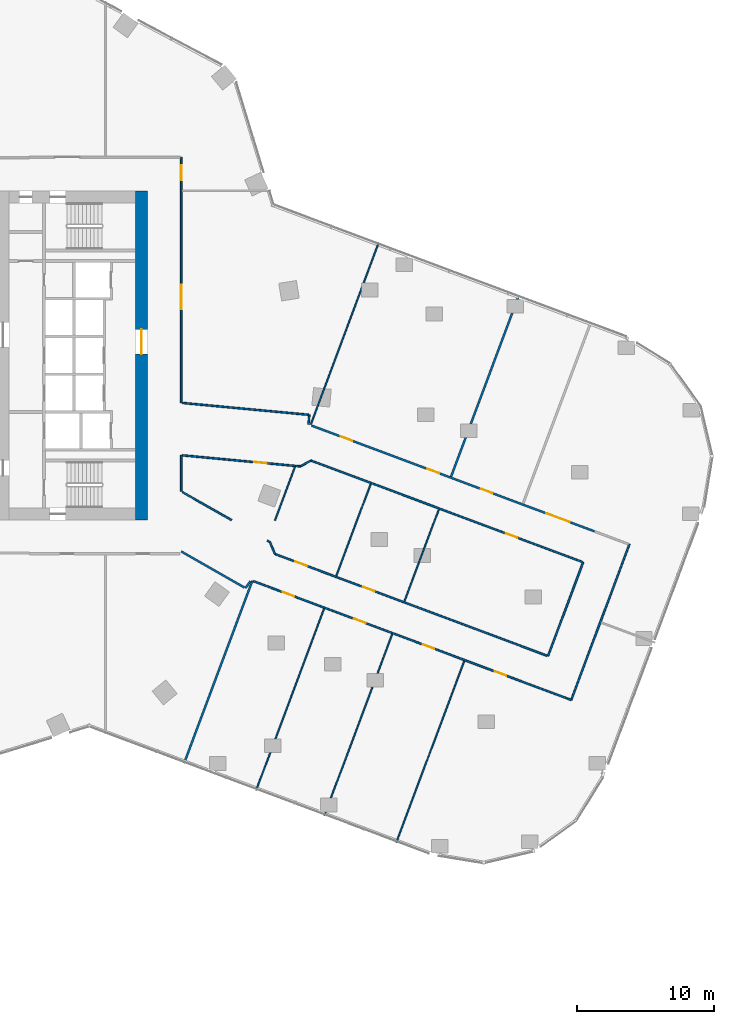
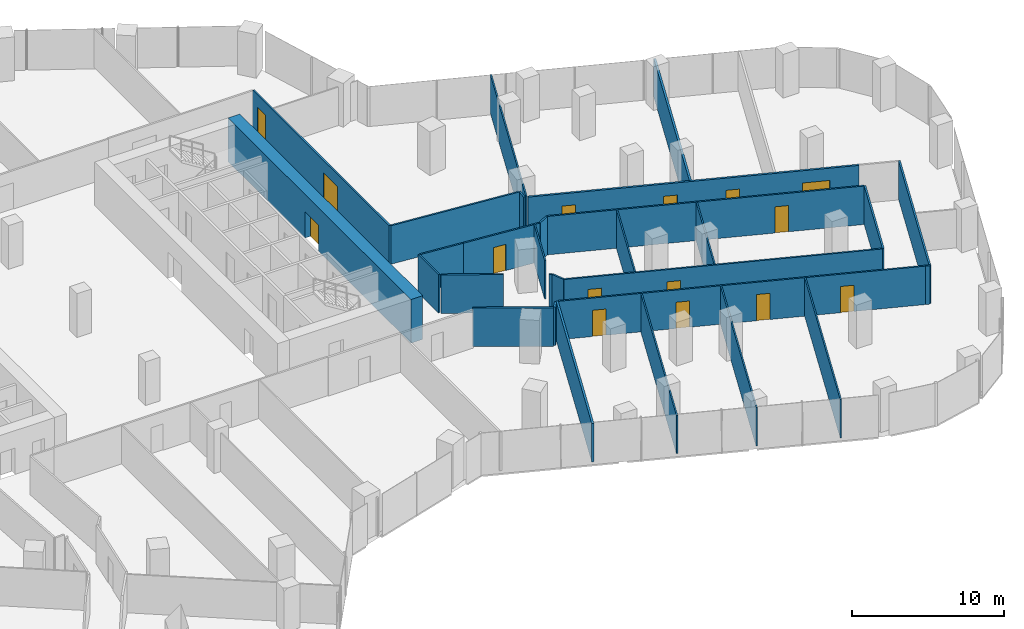
# One storey, part 26 of 31: 30 walls, 15 doors, 15 openings.
"""IFC4 building model written with IfcOpenShell, lengths in metres."""

from ifc_helpers import new_model, si_unit, direction, frame, frame_2d, origin, place, context, subcontext, project, spatial, rectangle, extrude, material, layer, layer_set, type_object, element, fill, save


model = new_model("IFC4")

# Units and contexts
model_context = context("Model", 3, precision=1e-05, world=origin(), true_north=direction((0.0, 1.0)))
body_context = subcontext(model_context, "Body", "Model", "MODEL_VIEW")
ifc_project = project(units=[si_unit("LENGTHUNIT", "METRE"), si_unit("AREAUNIT", "SQUARE_METRE"), si_unit("VOLUMEUNIT", "CUBIC_METRE"), si_unit("PLANEANGLEUNIT", "RADIAN"), si_unit("MASSUNIT", "GRAM", prefix="KILO")], contexts=[model_context])

# Site, building, storey
site_placement = place(None, origin())
site = spatial("IfcSite", under=ifc_project, at=site_placement, CompositionType="ELEMENT")
building_placement = place(site_placement, origin())
building = spatial("IfcBuilding", under=site, at=building_placement, Name="Orlundy Tower", CompositionType="ELEMENT")
storey_placement = place(building_placement, frame((0.0, 0.0, 87.699951171875)))
storey = spatial("IfcBuildingStorey", under=building, at=storey_placement, Name="L21", CompositionType="ELEMENT", Elevation=87.699951171875)

# Wall, opening, door
ifc_material_1 = material(Name="Concrete C80/95", Category="concrete")
ifc_layer_1 = layer(ifc_material_1, 0.89990234375)
ifc_layer_set_1 = layer_set([ifc_layer_1], Name="CORE WALL 900 C80/95")
wall_type_1 = type_object("IfcWallType", Name="CORE WALL 900 C80/95", PredefinedType="SHEAR", material=ifc_layer_set_1)
wall_1_placement = place(storey_placement, frame((18.550048828125, -12.0, 0.0), z_axis=(0.0, 0.0, 1.0), x_axis=(0.0, 1.0, 0.0)))
wall_1 = element("IfcWall", 1, at=wall_1_placement, inside=storey, type_object=wall_type_1, Name="Core wall E-E L21", PredefinedType="SHEAR", context=body_context, shape_type="SweptSolid", body=[
    extrude(rectangle(XDim=24.0, YDim=0.89990234375, at=frame_2d((12.0, 0.0))), origin(), (0.0, 0.0, 1.0), 3.5),
])
opening_1_placement = place(wall_1_placement, frame((12.10009765625, 0.0, 0.0)))
opening_1 = element("IfcOpeningElement", 2, at=opening_1_placement, cuts=wall_1, Name="Opening 17059", PredefinedType="OPENING", context=body_context, shape_type="SweptSolid", body=[
    extrude(rectangle(XDim=1.800048828125, YDim=2.10009765625, at=frame_2d((0.89990234375, 1.050048828125))), frame((0.0, 0.4599609375, 0.0), z_axis=(0.0, -1.0, 0.0), x_axis=(1.0, 0.0, 0.0)), (0.0, 0.0, 1.0), 0.919921875),
])
ifc_material_2 = material(Name="Timber door set", Category="wood")
door_type_1 = type_object("IfcDoorType", Name="Lobby Door 1800x2100", OperationType="DOUBLE_DOOR_DOUBLE_SWING", PredefinedType="DOOR", material=ifc_material_2)
door_1_placement = place(opening_1_placement, origin())
door_1 = element("IfcDoor", 3, at=door_1_placement, inside=storey, type_object=door_type_1, Name="Lift lobby door 17059", OperationType="SINGLE_SWING_RIGHT", OverallHeight=2.10009765625, OverallWidth=1.800048828125, PredefinedType="DOOR", context=body_context, shape_type="SweptSolid", body=[
    extrude(rectangle(XDim=1.800048828125, YDim=2.10009765625, at=frame_2d((0.89990234375, 1.050048828125))), frame((0.0, 0.02490234375, 0.0), z_axis=(0.0, -1.0, 0.0), x_axis=(1.0, 0.0, 0.0)), (0.0, 0.0, 1.0), 0.050048828125),
])
fill(opening_1, door_1)

# Walls
ifc_material_3 = material(Name="Gypsum board partition")
ifc_layer_2 = layer(ifc_material_3, 0.10009765625)
ifc_layer_set_2 = layer_set([ifc_layer_2], Name="Floor partition 100")
wall_type_2 = type_object("IfcWallType", Name="Floor partition 100", PredefinedType="PARTITIONING", material=ifc_layer_set_2)
wall_2_placement = place(storey_placement, frame((37.1201171875, -35.498046875, 0.0), z_axis=(0.0, 0.0, 1.0), x_axis=(0.350144786727, 0.936695590001, 0.0)))
element("IfcWall", 4, at=wall_2_placement, inside=storey, type_object=wall_type_2, Name="wall-int-L21-060", PredefinedType="PARTITIONING", context=body_context, shape_type="SweptSolid", body=[
    extrude(rectangle(XDim=14.136962890625, YDim=0.10009765625, at=frame_2d((7.068359375, 0.0))), origin(), (0.0, 0.0, 1.0), 3.080078125),
])
wall_3_placement = place(storey_placement, frame((31.8740234375, -33.535888671875, 0.0), z_axis=(0.0, 0.0, 1.0), x_axis=(0.350228055147, 0.936664459338, 0.0)))
element("IfcWall", 5, at=wall_3_placement, inside=storey, type_object=wall_type_2, Name="wall-int-L21-062", PredefinedType="PARTITIONING", context=body_context, shape_type="SweptSolid", body=[
    extrude(rectangle(XDim=14.13623046875, YDim=0.10009765625, at=frame_2d((7.068115234375, 0.0))), origin(), (0.0, 0.0, 1.0), 3.080078125),
])
wall_4_placement = place(storey_placement, frame((37.708984375, -17.927978515625, 0.0), z_axis=(0.0, 0.0, 1.0), x_axis=(0.350306504713, 0.93663512253, 0.0)))
element("IfcWall", 6, at=wall_4_placement, inside=storey, type_object=wall_type_2, Name="wall-int-L21-063", PredefinedType="PARTITIONING", context=body_context, shape_type="SweptSolid", body=[
    extrude(rectangle(XDim=7.173583984375, YDim=0.10009765625, at=frame_2d((3.5869140625, 0.0))), origin(), (0.0, 0.0, 1.0), 3.080078125),
])
wall_5_placement = place(storey_placement, frame((26.909912109375, -31.679931640625, 0.0), z_axis=(0.0, 0.0, 1.0), x_axis=(0.350182597647, 0.936681455088, 0.0)))
element("IfcWall", 7, at=wall_5_placement, inside=storey, type_object=wall_type_2, Name="wall-int-L21-065", PredefinedType="PARTITIONING", context=body_context, shape_type="SweptSolid", body=[
    extrude(rectangle(XDim=14.135986328125, YDim=0.10009765625, at=frame_2d((7.06787109375, 0.0))), origin(), (0.0, 0.0, 1.0), 3.080078125),
])
wall_6_placement = place(storey_placement, frame((32.7451171875, -16.072021484375, 0.0), z_axis=(0.0, 0.0, 1.0), x_axis=(0.350187067912, 0.936679783847, 0.0)))
element("IfcWall", 8, at=wall_6_placement, inside=storey, type_object=wall_type_2, Name="wall-int-L21-066", PredefinedType="PARTITIONING", context=body_context, shape_type="SweptSolid", body=[
    extrude(rectangle(XDim=7.173095703125, YDim=0.10009765625, at=frame_2d((3.58642578125, 0.0))), origin(), (0.0, 0.0, 1.0), 3.080078125),
])
wall_7_placement = place(storey_placement, frame((28.277099609375, -12.014892578125, 0.0), z_axis=(0.0, 0.0, 1.0), x_axis=(0.35011187795, 0.936707890924, 0.0)))
element("IfcWall", 9, at=wall_7_placement, inside=storey, type_object=wall_type_2, Name="wall-int-L21-068", PredefinedType="PARTITIONING", context=body_context, shape_type="SweptSolid", body=[
    extrude(rectangle(XDim=4.232666015625, YDim=0.10009765625, at=frame_2d((2.1162109375, 0.0))), origin(), (0.0, 0.0, 1.0), 3.080078125),
])
wall_8_placement = place(storey_placement, frame((30.89111328125, -5.02294921875, 0.0), z_axis=(0.0, 0.0, 1.0), x_axis=(0.350144786727, 0.936695590001, 0.0)))
element("IfcWall", 10, at=wall_8_placement, inside=storey, type_object=wall_type_2, Name="wall-int-L21-069", PredefinedType="PARTITIONING", context=body_context, shape_type="SweptSolid", body=[
    extrude(rectangle(XDim=14.136962890625, YDim=0.10009765625, at=frame_2d((7.068359375, 0.0))), origin(), (0.0, 0.0, 1.0), 3.080078125),
])
ifc_material_4 = material(Name="Gypsum board partition, double layer")
ifc_layer_3 = layer(ifc_material_4, 0.125)
ifc_layer_set_3 = layer_set([ifc_layer_3], Name="Floor partition 125")
wall_type_3 = type_object("IfcWallType", Name="Floor partition 125", PredefinedType="PARTITIONING", material=ifc_layer_set_3)
wall_9_placement = place(storey_placement, frame((27.72607421875, -13.488037109375, 0.0), z_axis=(0.0, 0.0, 1.0), x_axis=(0.867243838512, -0.497883645608, 0.0)))
element("IfcWall", 11, at=wall_9_placement, inside=storey, type_object=wall_type_3, Name="wall-int-L21-016", PredefinedType="PARTITIONING", context=body_context, shape_type="SweptSolid", body=[
    extrude(rectangle(XDim=0.2109375, YDim=0.125, at=frame_2d((0.10546875, 0.0))), origin(), (0.0, 0.0, 1.0), 3.080078125),
])
wall_10_placement = place(storey_placement, frame((21.54296875, -9.9599609375, 0.0), z_axis=(0.0, 0.0, 1.0), x_axis=(0.868534999161, -0.495627839445, 0.0)))
element("IfcWall", 12, at=wall_10_placement, inside=storey, type_object=wall_type_3, Name="wall-int-L21-017", PredefinedType="PARTITIONING", context=body_context, shape_type="SweptSolid", body=[
    extrude(rectangle(XDim=4.115966796875, YDim=0.125, at=frame_2d((2.05810546875, 0.0))), origin(), (0.0, 0.0, 1.0), 3.080078125),
])
wall_11_placement = place(storey_placement, frame((49.5869140625, -24.9990234375, 0.0), z_axis=(0.0, 0.0, 1.0), x_axis=(0.93595848705, -0.352110366957, 0.0)))
element("IfcWall", 13, at=wall_11_placement, inside=storey, type_object=wall_type_3, Name="wall-int-L21-018", PredefinedType="PARTITIONING", context=body_context, shape_type="SweptSolid", body=[
    extrude(rectangle(XDim=0.298095703125, YDim=0.125, at=frame_2d((0.14892578125, 0.0))), origin(), (0.0, 0.0, 1.0), 3.080078125),
])

# Wall, openings, doors
wall_12_placement = place(storey_placement, frame((49.5869140625, -24.9990234375, 0.0), z_axis=(0.0, 0.0, 1.0), x_axis=(-0.936679277277, 0.350188422882, 0.0)))
wall_12 = element("IfcWall", 14, at=wall_12_placement, inside=storey, type_object=wall_type_3, Name="wall-int-L21-019", PredefinedType="PARTITIONING", context=body_context, shape_type="SweptSolid", body=[
    extrude(rectangle(XDim=24.412841796875, YDim=0.125, at=frame_2d((12.20654296875, 0.0))), origin(), (0.0, 0.0, 1.0), 3.080078125),
])
opening_2_placement = place(wall_12_placement, frame((10.351318359375, 0.0, 0.0)))
opening_2 = element("IfcOpeningElement", 15, at=opening_2_placement, cuts=wall_12, Name="Opening 17105", PredefinedType="OPENING", context=body_context, shape_type="SweptSolid", body=[
    extrude(rectangle(XDim=0.89990234375, YDim=2.10009765625, at=frame_2d((0.449951171875, 1.050048828125))), frame((0.0, 0.072509765625, 0.0), z_axis=(0.0, -1.0, 0.0), x_axis=(1.0, 0.0, 0.0)), (0.0, 0.0, 1.0), 0.14501953125),
])
opening_3_placement = place(wall_12_placement, frame((4.751708984375, 0.0, 0.0)))
opening_3 = element("IfcOpeningElement", 16, at=opening_3_placement, cuts=wall_12, Name="Opening 17108", PredefinedType="OPENING", context=body_context, shape_type="SweptSolid", body=[
    extrude(rectangle(XDim=0.89990234375, YDim=2.10009765625, at=frame_2d((0.449951171875, 1.050048828125))), frame((0.0, 0.072509765625, 0.0), z_axis=(0.0, -1.0, 0.0), x_axis=(1.0, 0.0, 0.0)), (0.0, 0.0, 1.0), 0.14501953125),
])
opening_4_placement = place(wall_12_placement, frame((21.25146484375, 0.0, 0.0)))
opening_4 = element("IfcOpeningElement", 17, at=opening_4_placement, cuts=wall_12, Name="Opening 17109", PredefinedType="OPENING", context=body_context, shape_type="SweptSolid", body=[
    extrude(rectangle(XDim=0.89990234375, YDim=2.10009765625, at=frame_2d((0.449951171875, 1.050048828125))), frame((0.0, 0.072509765625, 0.0), z_axis=(0.0, -1.0, 0.0), x_axis=(1.0, 0.0, 0.0)), (0.0, 0.0, 1.0), 0.14501953125),
])
opening_5_placement = place(wall_12_placement, frame((15.700927734375, 0.0, 0.0)))
opening_5 = element("IfcOpeningElement", 18, at=opening_5_placement, cuts=wall_12, Name="Opening 17110", PredefinedType="OPENING", context=body_context, shape_type="SweptSolid", body=[
    extrude(rectangle(XDim=0.89990234375, YDim=2.10009765625, at=frame_2d((0.449951171875, 1.050048828125))), frame((0.0, 0.072509765625, 0.0), z_axis=(0.0, -1.0, 0.0), x_axis=(1.0, 0.0, 0.0)), (0.0, 0.0, 1.0), 0.14501953125),
])
ifc_material_5 = material(Name="Timber door leaf", Category="wood")
door_type_2 = type_object("IfcDoorType", Name="Floor door single 900 FD30S", OperationType="NOTDEFINED", PredefinedType="DOOR", material=ifc_material_5)
door_2_placement = place(opening_2_placement, origin())
door_2 = element("IfcDoor", 19, at=door_2_placement, inside=storey, type_object=door_type_2, Name="Door 17105", OperationType="SINGLE_SWING_LEFT", OverallHeight=2.10009765625, OverallWidth=0.89990234375, PredefinedType="DOOR", context=body_context, shape_type="SweptSolid", body=[
    extrude(rectangle(XDim=0.89990234375, YDim=2.10009765625, at=frame_2d((0.449951171875, 1.050048828125))), frame((0.0, 0.02490234375, 0.0), z_axis=(0.0, -1.0, 0.0), x_axis=(1.0, 0.0, 0.0)), (0.0, 0.0, 1.0), 0.050048828125),
])
fill(opening_2, door_2)
door_3_placement = place(opening_3_placement, origin())
door_3 = element("IfcDoor", 20, at=door_3_placement, inside=storey, type_object=door_type_2, Name="Door 17108", OperationType="SINGLE_SWING_LEFT", OverallHeight=2.10009765625, OverallWidth=0.89990234375, PredefinedType="DOOR", context=body_context, shape_type="SweptSolid", body=[
    extrude(rectangle(XDim=0.89990234375, YDim=2.10009765625, at=frame_2d((0.449951171875, 1.050048828125))), frame((0.0, 0.02490234375, 0.0), z_axis=(0.0, -1.0, 0.0), x_axis=(1.0, 0.0, 0.0)), (0.0, 0.0, 1.0), 0.050048828125),
])
fill(opening_3, door_3)
door_4_placement = place(opening_4_placement, origin())
door_4 = element("IfcDoor", 21, at=door_4_placement, inside=storey, type_object=door_type_2, Name="Door 17109", OperationType="SINGLE_SWING_RIGHT", OverallHeight=2.10009765625, OverallWidth=0.89990234375, PredefinedType="DOOR", context=body_context, shape_type="SweptSolid", body=[
    extrude(rectangle(XDim=0.89990234375, YDim=2.10009765625, at=frame_2d((0.449951171875, 1.050048828125))), frame((0.0, 0.02490234375, 0.0), z_axis=(0.0, -1.0, 0.0), x_axis=(1.0, 0.0, 0.0)), (0.0, 0.0, 1.0), 0.050048828125),
])
fill(opening_4, door_4)
door_5_placement = place(opening_5_placement, origin())
door_5 = element("IfcDoor", 22, at=door_5_placement, inside=storey, type_object=door_type_2, Name="Door 17110", OperationType="SINGLE_SWING_RIGHT", OverallHeight=2.10009765625, OverallWidth=0.89990234375, PredefinedType="DOOR", context=body_context, shape_type="SweptSolid", body=[
    extrude(rectangle(XDim=0.89990234375, YDim=2.10009765625, at=frame_2d((0.449951171875, 1.050048828125))), frame((0.0, 0.02490234375, 0.0), z_axis=(0.0, -1.0, 0.0), x_axis=(1.0, 0.0, 0.0)), (0.0, 0.0, 1.0), 0.050048828125),
])
fill(opening_5, door_5)

wall_13_placement = place(storey_placement, frame((28.277099609375, -14.468994140625, 0.0), z_axis=(0.0, 0.0, 1.0), x_axis=(0.936688160915, -0.350164660128, 0.0)))
wall_13 = element("IfcWall", 23, at=wall_13_placement, inside=storey, type_object=wall_type_3, Name="wall-int-L21-020", PredefinedType="PARTITIONING", context=body_context, shape_type="SweptSolid", body=[
    extrude(rectangle(XDim=21.184326171875, YDim=0.125, at=frame_2d((10.59228515625, 0.0))), origin(), (0.0, 0.0, 1.0), 3.080078125),
])
opening_6_placement = place(wall_13_placement, frame((1.58740234375, 0.0, 0.0)))
opening_6 = element("IfcOpeningElement", 24, at=opening_6_placement, cuts=wall_13, Name="Opening 17102", PredefinedType="OPENING", context=body_context, shape_type="SweptSolid", body=[
    extrude(rectangle(XDim=0.89990234375, YDim=2.10009765625, at=frame_2d((0.449951171875, 1.050048828125))), frame((0.0, 0.072509765625, 0.0), z_axis=(0.0, -1.0, 0.0), x_axis=(1.0, 0.0, 0.0)), (0.0, 0.0, 1.0), 0.14501953125),
])
opening_7_placement = place(wall_13_placement, frame((6.84619140625, 0.0, 0.0)))
opening_7 = element("IfcOpeningElement", 25, at=opening_7_placement, cuts=wall_13, Name="Opening 17103", PredefinedType="OPENING", context=body_context, shape_type="SweptSolid", body=[
    extrude(rectangle(XDim=0.89990234375, YDim=2.10009765625, at=frame_2d((0.449951171875, 1.050048828125))), frame((0.0, 0.072509765625, 0.0), z_axis=(0.0, -1.0, 0.0), x_axis=(1.0, 0.0, 0.0)), (0.0, 0.0, 1.0), 0.14501953125),
])
door_6_placement = place(opening_6_placement, origin())
door_6 = element("IfcDoor", 26, at=door_6_placement, inside=storey, type_object=door_type_2, Name="Door 17102", OperationType="SINGLE_SWING_LEFT", OverallHeight=2.10009765625, OverallWidth=0.89990234375, PredefinedType="DOOR", context=body_context, shape_type="SweptSolid", body=[
    extrude(rectangle(XDim=0.89990234375, YDim=2.10009765625, at=frame_2d((0.449951171875, 1.050048828125))), frame((0.0, 0.02490234375, 0.0), z_axis=(0.0, -1.0, 0.0), x_axis=(1.0, 0.0, 0.0)), (0.0, 0.0, 1.0), 0.050048828125),
])
fill(opening_6, door_6)
door_7_placement = place(opening_7_placement, origin())
door_7 = element("IfcDoor", 27, at=door_7_placement, inside=storey, type_object=door_type_2, Name="Door 17103", OperationType="SINGLE_SWING_LEFT", OverallHeight=2.10009765625, OverallWidth=0.89990234375, PredefinedType="DOOR", context=body_context, shape_type="SweptSolid", body=[
    extrude(rectangle(XDim=0.89990234375, YDim=2.10009765625, at=frame_2d((0.449951171875, 1.050048828125))), frame((0.0, 0.02490234375, 0.0), z_axis=(0.0, -1.0, 0.0), x_axis=(1.0, 0.0, 0.0)), (0.0, 0.0, 1.0), 0.050048828125),
])
fill(opening_7, door_7)

# Wall, opening, door
wall_14_placement = place(storey_placement, frame((50.675048828125, -15.050048828125, 0.0), z_axis=(0.0, 0.0, 1.0), x_axis=(-0.936673902411, 0.350202799165, 0.0)))
wall_14 = element("IfcWall", 28, at=wall_14_placement, inside=storey, type_object=wall_type_3, Name="wall-int-L21-022", PredefinedType="PARTITIONING", context=body_context, shape_type="SweptSolid", body=[
    extrude(rectangle(XDim=21.1025390625, YDim=0.125, at=frame_2d((10.55126953125, 0.0))), origin(), (0.0, 0.0, 1.0), 3.080078125),
])
opening_8_placement = place(wall_14_placement, frame((5.037353515625, 0.0, 0.0)))
opening_8 = element("IfcOpeningElement", 29, at=opening_8_placement, cuts=wall_14, Name="Opening 17106", PredefinedType="OPENING", context=body_context, shape_type="SweptSolid", body=[
    extrude(rectangle(XDim=0.89990234375, YDim=2.10009765625, at=frame_2d((0.449951171875, 1.050048828125))), frame((0.0, 0.072509765625, 0.0), z_axis=(0.0, -1.0, 0.0), x_axis=(1.0, 0.0, 0.0)), (0.0, 0.0, 1.0), 0.14501953125),
])
door_8_placement = place(opening_8_placement, origin())
door_8 = element("IfcDoor", 30, at=door_8_placement, inside=storey, type_object=door_type_2, Name="Door 17106", OperationType="SINGLE_SWING_LEFT", OverallHeight=2.10009765625, OverallWidth=0.89990234375, PredefinedType="DOOR", context=body_context, shape_type="SweptSolid", body=[
    extrude(rectangle(XDim=0.89990234375, YDim=2.10009765625, at=frame_2d((0.449951171875, 1.050048828125))), frame((0.0, 0.02490234375, 0.0), z_axis=(0.0, -1.0, 0.0), x_axis=(1.0, 0.0, 0.0)), (0.0, 0.0, 1.0), 0.050048828125),
])
fill(opening_8, door_8)

wall_15_placement = place(storey_placement, frame((29.69091796875, -8.0439453125, 0.0), z_axis=(0.0, 0.0, 1.0), x_axis=(-0.995633116016, 0.093352548402, 0.0)))
wall_15 = element("IfcWall", 31, at=wall_15_placement, inside=storey, type_object=wall_type_3, Name="wall-int-L21-025", PredefinedType="PARTITIONING", context=body_context, shape_type="SweptSolid", body=[
    extrude(rectangle(XDim=5.110107421875, YDim=0.125, at=frame_2d((2.55517578125, 0.0))), origin(), (0.0, 0.0, 1.0), 3.080078125),
])
opening_9_placement = place(wall_15_placement, frame((2.03125, 0.0, 0.0)))
opening_9 = element("IfcOpeningElement", 32, at=opening_9_placement, cuts=wall_15, Name="Opening 17130", PredefinedType="OPENING", context=body_context, shape_type="SweptSolid", body=[
    extrude(rectangle(XDim=0.89990234375, YDim=2.10009765625, at=frame_2d((0.449951171875, 1.050048828125))), frame((0.0, 0.072509765625, 0.0), z_axis=(0.0, -1.0, 0.0), x_axis=(1.0, 0.0, 0.0)), (0.0, 0.0, 1.0), 0.14501953125),
])
door_9_placement = place(opening_9_placement, origin())
door_9 = element("IfcDoor", 33, at=door_9_placement, inside=storey, type_object=door_type_2, Name="Door 17130", OperationType="SINGLE_SWING_LEFT", OverallHeight=2.10009765625, OverallWidth=0.89990234375, PredefinedType="DOOR", context=body_context, shape_type="SweptSolid", body=[
    extrude(rectangle(XDim=0.89990234375, YDim=2.10009765625, at=frame_2d((0.449951171875, 1.050048828125))), frame((0.0, 0.02490234375, 0.0), z_axis=(0.0, -1.0, 0.0), x_axis=(1.0, 0.0, 0.0)), (0.0, 0.0, 1.0), 0.050048828125),
])
fill(opening_9, door_9)

# Walls
wall_16_placement = place(storey_placement, frame((21.511962890625, -3.458984375, 0.0), z_axis=(0.0, 0.0, 1.0), x_axis=(0.995629319732, -0.093393028057, 0.0)))
element("IfcWall", 34, at=wall_16_placement, inside=storey, type_object=wall_type_3, Name="wall-int-L21-026", PredefinedType="PARTITIONING", context=body_context, shape_type="SweptSolid", body=[
    extrude(rectangle(XDim=9.25146484375, YDim=0.125, at=frame_2d((4.625732421875, 0.0))), origin(), (0.0, 0.0, 1.0), 3.080078125),
])
wall_17_placement = place(storey_placement, frame((21.511962890625, -7.277099609375, 0.0), z_axis=(0.0, 0.0, 1.0), x_axis=(0.99566045899, -0.093060466381, 0.0)))
element("IfcWall", 35, at=wall_17_placement, inside=storey, type_object=wall_type_3, Name="wall-int-L21-027", PredefinedType="PARTITIONING", context=body_context, shape_type="SweptSolid", body=[
    extrude(rectangle(XDim=3.103515625, YDim=0.125, at=frame_2d((1.5517578125, 0.0))), origin(), (0.0, 0.0, 1.0), 3.080078125),
])
wall_18_placement = place(storey_placement, frame((29.759033203125, -8.050048828125, 0.0), z_axis=(0.0, 0.0, 1.0), x_axis=(0.995670146901, -0.092956756453, 0.0)))
element("IfcWall", 36, at=wall_18_placement, inside=storey, type_object=wall_type_3, Name="wall-int-L21-028", PredefinedType="PARTITIONING", context=body_context, shape_type="SweptSolid", body=[
    extrude(rectangle(XDim=0.3544921875, YDim=0.125, at=frame_2d((0.17724609375, 0.0))), origin(), (0.0, 0.0, 1.0), 3.080078125),
])
wall_19_placement = place(storey_placement, frame((28.277099609375, -14.468994140625, 0.0), z_axis=(0.0, 0.0, 1.0), x_axis=(-0.386952526605, 0.922099637867, 0.0)))
element("IfcWall", 37, at=wall_19_placement, inside=storey, type_object=wall_type_3, Name="wall-int-L21-057", PredefinedType="PARTITIONING", context=body_context, shape_type="SweptSolid", body=[
    extrude(rectangle(XDim=0.948974609375, YDim=0.125, at=frame_2d((0.474609375, 0.0))), origin(), (0.0, 0.0, 1.0), 3.080078125),
])
wall_20_placement = place(storey_placement, frame((49.866943359375, -25.10400390625, 0.0), z_axis=(0.0, 0.0, 1.0), x_axis=(0.350035835617, 0.936736309632, 0.0)))
element("IfcWall", 38, at=wall_20_placement, inside=storey, type_object=wall_type_3, Name="wall-int-L21-058", PredefinedType="PARTITIONING", context=body_context, shape_type="SweptSolid", body=[
    extrude(rectangle(XDim=12.13037109375, YDim=0.125, at=frame_2d((6.065185546875, 0.0))), origin(), (0.0, 0.0, 1.0), 3.080078125),
])
wall_21_placement = place(storey_placement, frame((48.177978515625, -21.908935546875, 0.0), z_axis=(0.0, 0.0, 1.0), x_axis=(0.350170212359, 0.93668608529, 0.0)))
element("IfcWall", 39, at=wall_21_placement, inside=storey, type_object=wall_type_3, Name="wall-int-L21-059", PredefinedType="PARTITIONING", context=body_context, shape_type="SweptSolid", body=[
    extrude(rectangle(XDim=7.299072265625, YDim=0.125, at=frame_2d((3.6494140625, 0.0))), origin(), (0.0, 0.0, 1.0), 3.080078125),
])
wall_22_placement = place(storey_placement, frame((30.719970703125, -5.02587890625, 0.0), z_axis=(0.0, 0.0, 1.0), x_axis=(0.092800329534, 0.995684738679, 0.0)))
element("IfcWall", 40, at=wall_22_placement, inside=storey, type_object=wall_type_3, Name="wall-int-L21-073", PredefinedType="PARTITIONING", context=body_context, shape_type="SweptSolid", body=[
    extrude(rectangle(XDim=0.69970703125, YDim=0.125, at=frame_2d((0.349853515625, 0.0))), origin(), (0.0, 0.0, 1.0), 3.080078125),
])
wall_23_placement = place(storey_placement, frame((30.113037109375, -8.0830078125, 0.0), z_axis=(0.0, 0.0, 1.0), x_axis=(0.882989439454, 0.469392852323, 0.0)))
element("IfcWall", 41, at=wall_23_placement, inside=storey, type_object=wall_type_3, Name="wall-int-L21-074", PredefinedType="PARTITIONING", context=body_context, shape_type="SweptSolid", body=[
    extrude(rectangle(XDim=0.9013671875, YDim=0.125, at=frame_2d((0.45068359375, 0.0))), origin(), (0.0, 0.0, 1.0), 3.080078125),
])
wall_24_placement = place(storey_placement, frame((21.449951171875, -9.906982421875, 0.0), z_axis=(0.0, 0.0, 1.0), x_axis=(0.0, 1.0, 0.0)))
element("IfcWall", 42, at=wall_24_placement, inside=storey, type_object=wall_type_3, Name="wall-int-L21-077", PredefinedType="PARTITIONING", context=body_context, shape_type="SweptSolid", body=[
    extrude(rectangle(XDim=2.635986328125, YDim=0.125, at=frame_2d((1.31787109375, 0.0))), origin(), (0.0, 0.0, 1.0), 3.080078125),
])

# Wall, openings, doors
wall_25_placement = place(storey_placement, frame((21.449951171875, 14.450927734375, 0.0), z_axis=(0.0, 0.0, 1.0), x_axis=(0.0, -1.0, 0.0)))
wall_25 = element("IfcWall", 43, at=wall_25_placement, inside=storey, type_object=wall_type_3, Name="wall-int-L21-078", PredefinedType="PARTITIONING", context=body_context, shape_type="SweptSolid", body=[
    extrude(rectangle(XDim=17.90380859375, YDim=0.125, at=frame_2d((8.951904296875, 0.0))), origin(), (0.0, 0.0, 1.0), 3.080078125),
])
opening_10_placement = place(wall_25_placement, frame((9.301025390625, 0.0, 0.0)))
opening_10 = element("IfcOpeningElement", 44, at=opening_10_placement, cuts=wall_25, Name="Opening 17131", PredefinedType="OPENING", context=body_context, shape_type="SweptSolid", body=[
    extrude(rectangle(XDim=1.800048828125, YDim=2.10009765625, at=frame_2d((0.89990234375, 1.050048828125))), frame((0.0, 0.072509765625, 0.0), z_axis=(0.0, -1.0, 0.0), x_axis=(1.0, 0.0, 0.0)), (0.0, 0.0, 1.0), 0.14501953125),
])
opening_11_placement = place(wall_25_placement, frame((0.60009765625, 0.0, 0.0)))
opening_11 = element("IfcOpeningElement", 45, at=opening_11_placement, cuts=wall_25, Name="Opening 17132", PredefinedType="OPENING", context=body_context, shape_type="SweptSolid", body=[
    extrude(rectangle(XDim=1.10009765625, YDim=2.10009765625, at=frame_2d((0.550048828125, 1.050048828125))), frame((0.0, 0.072509765625, 0.0), z_axis=(0.0, -1.0, 0.0), x_axis=(1.0, 0.0, 0.0)), (0.0, 0.0, 1.0), 0.14501953125),
])
ifc_material_6 = material(Name="Timber door leaf", Category="wood")
door_type_3 = type_object("IfcDoorType", Name="Floor door double 1800 FD30S", OperationType="NOTDEFINED", PredefinedType="DOOR", material=ifc_material_6)
door_10_placement = place(opening_10_placement, origin())
door_10 = element("IfcDoor", 46, at=door_10_placement, inside=storey, type_object=door_type_3, Name="Door 17131", OperationType="DOUBLE_DOOR_SINGLE_SWING", OverallHeight=2.10009765625, OverallWidth=1.800048828125, PredefinedType="DOOR", context=body_context, shape_type="SweptSolid", body=[
    extrude(rectangle(XDim=1.800048828125, YDim=2.10009765625, at=frame_2d((0.89990234375, 1.050048828125))), frame((0.0, 0.02490234375, 0.0), z_axis=(0.0, -1.0, 0.0), x_axis=(1.0, 0.0, 0.0)), (0.0, 0.0, 1.0), 0.050048828125),
])
fill(opening_10, door_10)
ifc_material_7 = material(Name="Timber door leaf", Category="wood")
door_type_4 = type_object("IfcDoorType", Name="Floor door xwide 1100 FD30S", OperationType="NOTDEFINED", PredefinedType="DOOR", material=ifc_material_7)
door_11_placement = place(opening_11_placement, origin())
door_11 = element("IfcDoor", 47, at=door_11_placement, inside=storey, type_object=door_type_4, Name="Door 17132", OperationType="SINGLE_SWING_LEFT", OverallHeight=2.10009765625, OverallWidth=1.10009765625, PredefinedType="DOOR", context=body_context, shape_type="SweptSolid", body=[
    extrude(rectangle(XDim=1.10009765625, YDim=2.10009765625, at=frame_2d((0.550048828125, 1.050048828125))), frame((0.0, 0.02490234375, 0.0), z_axis=(0.0, -1.0, 0.0), x_axis=(1.0, 0.0, 0.0)), (0.0, 0.0, 1.0), 0.050048828125),
])
fill(opening_11, door_11)

# Wall
ifc_material_8 = material(Name="Blockwork shaft wall", Category="masonry")
ifc_layer_4 = layer(ifc_material_8, 0.14990234375)
ifc_layer_set_4 = layer_set([ifc_layer_4], Name="Floor shaft wall 150")
wall_type_4 = type_object("IfcWallType", Name="Floor shaft wall 150", PredefinedType="PARTITIONING", material=ifc_layer_set_4)
wall_26_placement = place(storey_placement, frame((21.449951171875, -14.282958984375, 0.0), z_axis=(0.0, 0.0, 1.0), x_axis=(0.868472254755, -0.495737776169, 0.0)))
element("IfcWall", 48, at=wall_26_placement, inside=storey, type_object=wall_type_4, Name="wall-int-L21-015", PredefinedType="PARTITIONING", context=body_context, shape_type="SweptSolid", body=[
    extrude(rectangle(XDim=5.309326171875, YDim=0.14990234375, at=frame_2d((2.65478515625, 0.0))), origin(), (0.0, 0.0, 1.0), 3.080078125),
])

# Wall, openings, doors
wall_27_placement = place(storey_placement, frame((30.948974609375, -5.112060546875, 0.0), z_axis=(0.0, 0.0, 1.0), x_axis=(0.936693201773, -0.350151175568, 0.0)))
wall_27 = element("IfcWall", 49, at=wall_27_placement, inside=storey, type_object=wall_type_4, Name="wall-int-L21-023", PredefinedType="PARTITIONING", context=body_context, shape_type="SweptSolid", body=[
    extrude(rectangle(XDim=22.01904296875, YDim=0.14990234375, at=frame_2d((11.009521484375, 0.0))), origin(), (0.0, 0.0, 1.0), 3.080078125),
])
opening_12_placement = place(wall_27_placement, frame((2.264892578125, 0.0, 0.0)))
opening_12 = element("IfcOpeningElement", 50, at=opening_12_placement, cuts=wall_27, Name="Opening 17100", PredefinedType="OPENING", context=body_context, shape_type="SweptSolid", body=[
    extrude(rectangle(XDim=0.89990234375, YDim=2.10009765625, at=frame_2d((0.449951171875, 1.050048828125))), frame((0.0, 0.0849609375, 0.0), z_axis=(0.0, -1.0, 0.0), x_axis=(1.0, 0.0, 0.0)), (0.0, 0.0, 1.0), 0.169921875),
])
opening_13_placement = place(wall_27_placement, frame((9.021484375, 0.0, 0.0)))
opening_13 = element("IfcOpeningElement", 51, at=opening_13_placement, cuts=wall_27, Name="Opening 17101", PredefinedType="OPENING", context=body_context, shape_type="SweptSolid", body=[
    extrude(rectangle(XDim=0.89990234375, YDim=2.10009765625, at=frame_2d((0.449951171875, 1.050048828125))), frame((0.0, 0.0849609375, 0.0), z_axis=(0.0, -1.0, 0.0), x_axis=(1.0, 0.0, 0.0)), (0.0, 0.0, 1.0), 0.169921875),
])
opening_14_placement = place(wall_27_placement, frame((13.17138671875, 0.0, 0.0)))
opening_14 = element("IfcOpeningElement", 52, at=opening_14_placement, cuts=wall_27, Name="Opening 17104", PredefinedType="OPENING", context=body_context, shape_type="SweptSolid", body=[
    extrude(rectangle(XDim=0.89990234375, YDim=2.10009765625, at=frame_2d((0.449951171875, 1.050048828125))), frame((0.0, 0.0849609375, 0.0), z_axis=(0.0, -1.0, 0.0), x_axis=(1.0, 0.0, 0.0)), (0.0, 0.0, 1.0), 0.169921875),
])
opening_15_placement = place(wall_27_placement, frame((18.27099609375, 0.0, 0.0)))
opening_15 = element("IfcOpeningElement", 53, at=opening_15_placement, cuts=wall_27, Name="Opening 17107", PredefinedType="OPENING", context=body_context, shape_type="SweptSolid", body=[
    extrude(rectangle(XDim=1.800048828125, YDim=2.10009765625, at=frame_2d((0.89990234375, 1.050048828125))), frame((0.0, 0.0849609375, 0.0), z_axis=(0.0, -1.0, 0.0), x_axis=(1.0, 0.0, 0.0)), (0.0, 0.0, 1.0), 0.169921875),
])
ifc_material_9 = material(Name="Timber door leaf", Category="wood")
door_type_5 = type_object("IfcDoorType", Name="Floor door double 1800 FD60", OperationType="NOTDEFINED", PredefinedType="DOOR", material=ifc_material_9)
door_12_placement = place(opening_15_placement, origin())
door_12 = element("IfcDoor", 54, at=door_12_placement, inside=storey, type_object=door_type_5, Name="Door 17107", OperationType="DOUBLE_DOOR_SINGLE_SWING", OverallHeight=2.10009765625, OverallWidth=1.800048828125, PredefinedType="DOOR", context=body_context, shape_type="SweptSolid", body=[
    extrude(rectangle(XDim=1.800048828125, YDim=2.10009765625, at=frame_2d((0.89990234375, 1.050048828125))), frame((0.0, 0.02490234375, 0.0), z_axis=(0.0, -1.0, 0.0), x_axis=(1.0, 0.0, 0.0)), (0.0, 0.0, 1.0), 0.050048828125),
])
fill(opening_15, door_12)
ifc_material_10 = material(Name="Timber door leaf", Category="wood")
door_type_6 = type_object("IfcDoorType", Name="Floor door single 900 FD60", OperationType="NOTDEFINED", PredefinedType="DOOR", material=ifc_material_10)
door_13_placement = place(opening_12_placement, origin())
door_13 = element("IfcDoor", 55, at=door_13_placement, inside=storey, type_object=door_type_6, Name="Door 17100", OperationType="SINGLE_SWING_LEFT", OverallHeight=2.10009765625, OverallWidth=0.89990234375, PredefinedType="DOOR", context=body_context, shape_type="SweptSolid", body=[
    extrude(rectangle(XDim=0.89990234375, YDim=2.10009765625, at=frame_2d((0.449951171875, 1.050048828125))), frame((0.0, 0.02490234375, 0.0), z_axis=(0.0, -1.0, 0.0), x_axis=(1.0, 0.0, 0.0)), (0.0, 0.0, 1.0), 0.050048828125),
])
fill(opening_12, door_13)
door_14_placement = place(opening_13_placement, origin())
door_14 = element("IfcDoor", 56, at=door_14_placement, inside=storey, type_object=door_type_6, Name="Door 17101", OperationType="SINGLE_SWING_LEFT", OverallHeight=2.10009765625, OverallWidth=0.89990234375, PredefinedType="DOOR", context=body_context, shape_type="SweptSolid", body=[
    extrude(rectangle(XDim=0.89990234375, YDim=2.10009765625, at=frame_2d((0.449951171875, 1.050048828125))), frame((0.0, 0.02490234375, 0.0), z_axis=(0.0, -1.0, 0.0), x_axis=(1.0, 0.0, 0.0)), (0.0, 0.0, 1.0), 0.050048828125),
])
fill(opening_13, door_14)
door_15_placement = place(opening_14_placement, origin())
door_15 = element("IfcDoor", 57, at=door_15_placement, inside=storey, type_object=door_type_6, Name="Door 17104", OperationType="SINGLE_SWING_RIGHT", OverallHeight=2.10009765625, OverallWidth=0.89990234375, PredefinedType="DOOR", context=body_context, shape_type="SweptSolid", body=[
    extrude(rectangle(XDim=0.89990234375, YDim=2.10009765625, at=frame_2d((0.449951171875, 1.050048828125))), frame((0.0, 0.02490234375, 0.0), z_axis=(0.0, -1.0, 0.0), x_axis=(1.0, 0.0, 0.0)), (0.0, 0.0, 1.0), 0.050048828125),
])
fill(opening_14, door_15)

# Walls
wall_28_placement = place(storey_placement, frame((26.1259765625, -16.951904296875, 0.0), z_axis=(0.0, 0.0, 1.0), x_axis=(0.590016589342, 0.807391122258, 0.0)))
element("IfcWall", 58, at=wall_28_placement, inside=storey, type_object=wall_type_4, Name="wall-int-L21-046", PredefinedType="PARTITIONING", context=body_context, shape_type="SweptSolid", body=[
    extrude(rectangle(XDim=0.62890625, YDim=0.14990234375, at=frame_2d((0.314453125, 0.0))), origin(), (0.0, 0.0, 1.0), 3.080078125),
])
wall_29_placement = place(storey_placement, frame((41.111083984375, -8.8310546875, 0.0), z_axis=(0.0, 0.0, 1.0), x_axis=(0.350164754545, 0.936688125618, 0.0)))
element("IfcWall", 59, at=wall_29_placement, inside=storey, type_object=wall_type_4, Name="wall-int-L21-064", PredefinedType="PARTITIONING", context=body_context, shape_type="SweptSolid", body=[
    extrude(rectangle(XDim=14.124267578125, YDim=0.14990234375, at=frame_2d((7.06201171875, 0.0))), origin(), (0.0, 0.0, 1.0), 3.080078125),
])
wall_30_placement = place(storey_placement, frame((21.657958984375, -29.717041015625, 0.0), z_axis=(0.0, 0.0, 1.0), x_axis=(0.350235805965, 0.936661561195, 0.0)))
element("IfcWall", 60, at=wall_30_placement, inside=storey, type_object=wall_type_4, Name="wall-int-L21-067", PredefinedType="PARTITIONING", context=body_context, shape_type="SweptSolid", body=[
    extrude(rectangle(XDim=14.199462890625, YDim=0.14990234375, at=frame_2d((7.099609375, 0.0))), origin(), (0.0, 0.0, 1.0), 3.080078125),
])

save(model, "model.ifc")
